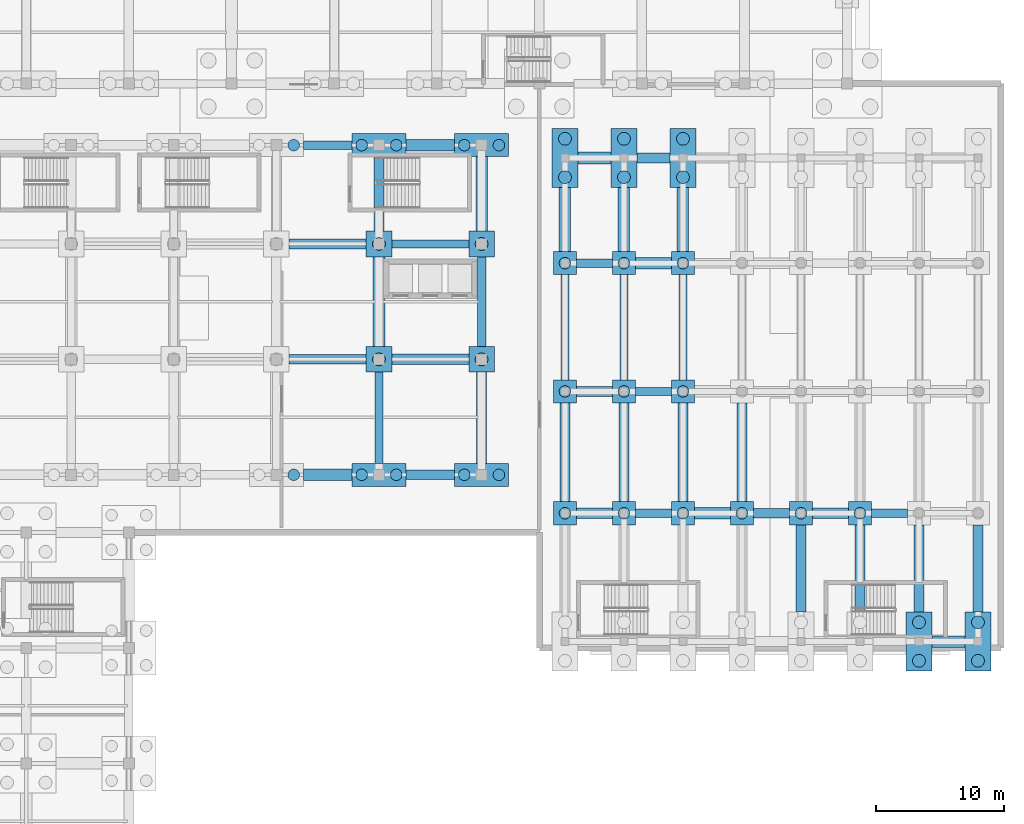
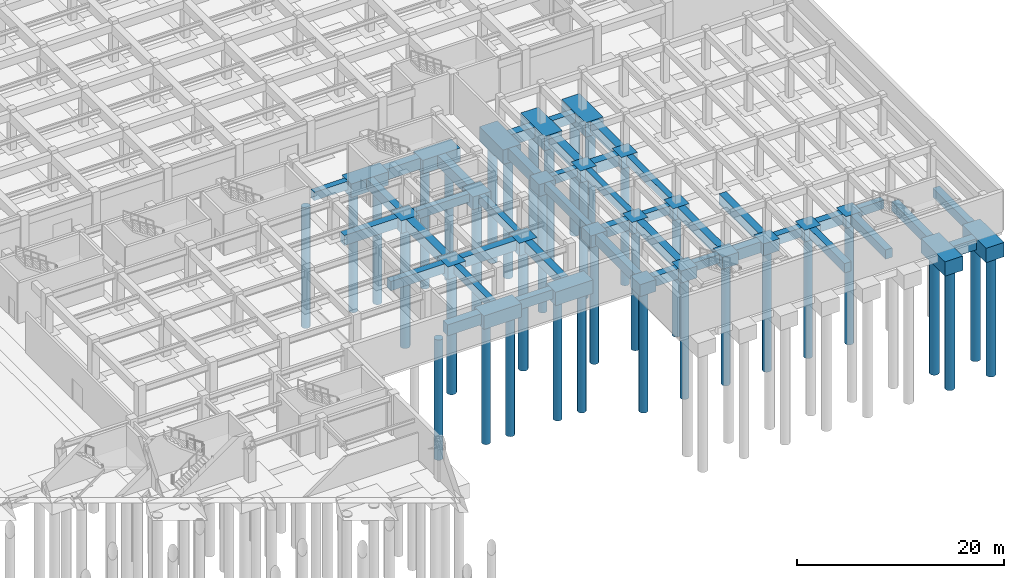
# One storey, part 12 of 48: 66 footings, 36 piles.
"""IFC4 building model written with IfcOpenShell, lengths in metres."""

from ifc_helpers import new_model, si_unit, direction, frame, origin, origin_2d, place, context, subcontext, project, spatial, polyline, rectangle, circle, outline, extrude, material, layer, layer_set, material_profile, profile_set, type_object, element, save


model = new_model("IFC4")

# Units and contexts
model_context = context("Model", 3, precision=1e-05, world=origin(), true_north=direction((0.0, 1.0)))
body_context = subcontext(model_context, "Body", "Model", "MODEL_VIEW")
ifc_project = project(units=[si_unit("LENGTHUNIT", "METRE"), si_unit("AREAUNIT", "SQUARE_METRE"), si_unit("VOLUMEUNIT", "CUBIC_METRE"), si_unit("PLANEANGLEUNIT", "RADIAN"), si_unit("MASSUNIT", "GRAM", prefix="KILO")], contexts=[model_context])

# Site, building, storey
site_placement = place(None, origin())
site = spatial("IfcSite", under=ifc_project, at=site_placement, CompositionType="ELEMENT")
building_placement = place(site_placement, origin())
building = spatial("IfcBuilding", under=site, at=building_placement, Name="Tlacozan Convention Centre", CompositionType="ELEMENT")
storey_placement = place(building_placement, frame((0.0, 0.0, -4.800048828125)))
storey = spatial("IfcBuildingStorey", under=building, at=storey_placement, Name="B01", CompositionType="ELEMENT", Elevation=-4.800048828125)

# Footings
ifc_material = material(Name="Concrete C35/45", Category="concrete")
ifc_layer_1 = layer(ifc_material, 1.0)
ifc_layer_set_1 = layer_set([ifc_layer_1], Name="Concrete C35/45")
footing_type_1 = type_object("IfcFootingType", Name="Foundation Tie Beam 650x1000", PredefinedType="FOOTING_BEAM", material=ifc_layer_set_1)
footing_1_placement = place(storey_placement, frame((0.0, 0.0, -1.0)))
element("IfcFooting", 1, at=footing_1_placement, inside=storey, type_object=footing_type_1, Name="Foundation Tie Beam X-61", PredefinedType="FOOTING_BEAM", context=body_context, shape_type="SweptSolid", body=[
    extrude(outline(polyline([(151.5, 28.175048828125), (154.300048828125, 28.175048828125), (154.300048828125, 28.824951171875), (151.5, 28.824951171875), (151.5, 28.175048828125)])), origin(), (0.0, 0.0, 1.0), 1.0),
])
footing_2_placement = place(storey_placement, frame((0.0, 0.0, -1.0)))
element("IfcFooting", 2, at=footing_2_placement, inside=storey, type_object=footing_type_1, Name="Foundation Tie Beam X-65", PredefinedType="FOOTING_BEAM", context=body_context, shape_type="SweptSolid", body=[
    extrude(outline(polyline([(169.89990234375, 28.175048828125), (172.699951171875, 28.175048828125), (172.699951171875, 28.824951171875), (169.89990234375, 28.824951171875), (169.89990234375, 28.175048828125)])), origin(), (0.0, 0.0, 1.0), 1.0),
])
footing_3_placement = place(storey_placement, frame((0.0, 0.0, -1.0)))
element("IfcFooting", 3, at=footing_3_placement, inside=storey, type_object=footing_type_1, Name="Foundation Tie Beam X-77", PredefinedType="FOOTING_BEAM", context=body_context, shape_type="SweptSolid", body=[
    extrude(outline(polyline([(151.5, 37.675048828125), (154.300048828125, 37.675048828125), (154.300048828125, 38.324951171875), (151.5, 38.324951171875), (151.5, 37.675048828125)])), origin(), (0.0, 0.0, 1.0), 1.0),
])
footing_4_placement = place(storey_placement, frame((0.0, 0.0, -1.0)))
element("IfcFooting", 4, at=footing_4_placement, inside=storey, type_object=footing_type_1, Name="Foundation Tie Beam X-93", PredefinedType="FOOTING_BEAM", context=body_context, shape_type="SweptSolid", body=[
    extrude(outline(polyline([(146.89990234375, 47.675048828125), (149.699951171875, 47.675048828125), (149.699951171875, 48.324951171875), (146.89990234375, 48.324951171875), (146.89990234375, 47.675048828125)])), origin(), (0.0, 0.0, 1.0), 1.0),
])
footing_5_placement = place(storey_placement, frame((0.0, 0.0, -1.0)))
element("IfcFooting", 5, at=footing_5_placement, inside=storey, type_object=footing_type_1, Name="Foundation Tie Beam X-109", PredefinedType="FOOTING_BEAM", context=body_context, shape_type="SweptSolid", body=[
    extrude(outline(polyline([(132.5, 49.175048828125), (138.5, 49.175048828125), (138.5, 49.824951171875), (132.5, 49.824951171875), (132.5, 49.175048828125)])), origin(), (0.0, 0.0, 1.0), 1.0),
])
footing_6_placement = place(storey_placement, frame((0.0, 0.0, -1.0)))
element("IfcFooting", 6, at=footing_6_placement, inside=storey, type_object=footing_type_1, Name="Foundation Tie Beam X-125", PredefinedType="FOOTING_BEAM", context=body_context, shape_type="SweptSolid", body=[
    extrude(outline(polyline([(125.60009765625, 56.875), (129.39990234375, 56.875), (129.39990234375, 57.52490234375), (125.60009765625, 57.52490234375), (125.60009765625, 56.875)])), origin(), (0.0, 0.0, 1.0), 1.0),
])
footing_7_placement = place(storey_placement, frame((0.0, 0.0, -1.0)))
element("IfcFooting", 7, at=footing_7_placement, inside=storey, type_object=footing_type_1, Name="Foundation Tie Beam Y-525", PredefinedType="FOOTING_BEAM", context=body_context, shape_type="SweptSolid", body=[
    extrude(outline(polyline([(131.175048828125, 32.39990234375), (131.824951171875, 32.39990234375), (131.824951171875, 39.5), (131.175048828125, 39.5), (131.175048828125, 32.39990234375)])), origin(), (0.0, 0.0, 1.0), 1.0),
])
footing_8_placement = place(storey_placement, frame((0.0, 0.0, -1.0)))
element("IfcFooting", 8, at=footing_8_placement, inside=storey, type_object=footing_type_1, Name="Foundation Tie Beam Y-537", PredefinedType="FOOTING_BEAM", context=body_context, shape_type="SweptSolid", body=[
    extrude(outline(polyline([(139.175048828125, 41.5), (139.824951171875, 41.5), (139.824951171875, 48.5), (139.175048828125, 48.5), (139.175048828125, 41.5)])), origin(), (0.0, 0.0, 1.0), 1.0),
])
footing_9_placement = place(storey_placement, frame((0.0, 0.0, -1.0)))
element("IfcFooting", 9, at=footing_9_placement, inside=storey, type_object=footing_type_1, Name="Foundation Tie Beam Y-549", PredefinedType="FOOTING_BEAM", context=body_context, shape_type="SweptSolid", body=[
    extrude(outline(polyline([(145.675048828125, 38.89990234375), (146.324951171875, 38.89990234375), (146.324951171875, 47.10009765625), (145.675048828125, 47.10009765625), (145.675048828125, 38.89990234375)])), origin(), (0.0, 0.0, 1.0), 1.0),
])
footing_10_placement = place(storey_placement, frame((0.0, 0.0, -1.0)))
element("IfcFooting", 10, at=footing_10_placement, inside=storey, type_object=footing_type_1, Name="Foundation Tie Beam Y-553", PredefinedType="FOOTING_BEAM", context=body_context, shape_type="SweptSolid", body=[
    extrude(outline(polyline([(150.27490234375, 38.89990234375), (150.925048828125, 38.89990234375), (150.925048828125, 47.10009765625), (150.27490234375, 47.10009765625), (150.27490234375, 38.89990234375)])), origin(), (0.0, 0.0, 1.0), 1.0),
])
footing_11_placement = place(storey_placement, frame((0.0, 0.0, -1.0)))
element("IfcFooting", 11, at=footing_11_placement, inside=storey, type_object=footing_type_1, Name="Foundation Tie Beam Y-565", PredefinedType="FOOTING_BEAM", context=body_context, shape_type="SweptSolid", body=[
    extrude(outline(polyline([(154.875, 38.89990234375), (155.52490234375, 38.89990234375), (155.52490234375, 47.10009765625), (154.875, 47.10009765625), (154.875, 38.89990234375)])), origin(), (0.0, 0.0, 1.0), 1.0),
])
ifc_layer_2 = layer(ifc_material, 1.10009765625)
ifc_layer_set_2 = layer_set([ifc_layer_2], Name="Concrete C35/45")
footing_type_2 = type_object("IfcFootingType", Name="Foundation Tie Beam 750x1100", PredefinedType="FOOTING_BEAM", material=ifc_layer_set_2)
footing_12_placement = place(storey_placement, frame((0.0, 0.0, -1.099853515625)))
element("IfcFooting", 12, at=footing_12_placement, inside=storey, type_object=footing_type_2, Name="Foundation Tie Beam X-63", PredefinedType="FOOTING_BEAM", context=body_context, shape_type="SweptSolid", body=[
    extrude(outline(polyline([(160.699951171875, 28.125), (163.5, 28.125), (163.5, 28.875), (160.699951171875, 28.875), (160.699951171875, 28.125)])), origin(), (0.0, 0.0, 1.0), 1.099853515625),
])
footing_13_placement = place(storey_placement, frame((0.0, 0.0, -1.099853515625)))
element("IfcFooting", 13, at=footing_13_placement, inside=storey, type_object=footing_type_2, Name="Foundation Tie Beam X-75", PredefinedType="FOOTING_BEAM", context=body_context, shape_type="SweptSolid", body=[
    extrude(outline(polyline([(133.60009765625, 31.125), (137.39990234375, 31.125), (137.39990234375, 31.875), (133.60009765625, 31.875), (133.60009765625, 31.125)])), origin(), (0.0, 0.0, 1.0), 1.099853515625),
])
footing_14_placement = place(storey_placement, frame((0.0, 0.0, -1.099853515625)))
element("IfcFooting", 14, at=footing_14_placement, inside=storey, type_object=footing_type_2, Name="Foundation Tie Beam X-91", PredefinedType="FOOTING_BEAM", context=body_context, shape_type="SweptSolid", body=[
    extrude(outline(polyline([(124.5, 40.125), (130.5, 40.125), (130.5, 40.875), (124.5, 40.875), (124.5, 40.125)])), origin(), (0.0, 0.0, 1.0), 1.099853515625),
])
footing_15_placement = place(storey_placement, frame((0.0, 0.0, -1.099853515625)))
element("IfcFooting", 15, at=footing_15_placement, inside=storey, type_object=footing_type_2, Name="Foundation Tie Beam X-111", PredefinedType="FOOTING_BEAM", context=body_context, shape_type="SweptSolid", body=[
    extrude(outline(polyline([(151.60009765625, 55.824951171875), (154.199951171875, 55.824951171875), (154.199951171875, 56.574951171875), (151.60009765625, 56.574951171875), (151.60009765625, 55.824951171875)])), origin(), (0.0, 0.0, 1.0), 1.099853515625),
])
footing_16_placement = place(storey_placement, frame((0.0, 0.0, -1.099853515625)))
element("IfcFooting", 16, at=footing_16_placement, inside=storey, type_object=footing_type_2, Name="Foundation Tie Beam Y-527", PredefinedType="FOOTING_BEAM", context=body_context, shape_type="SweptSolid", body=[
    extrude(outline(polyline([(131.125, 50.5), (131.875, 50.5), (131.875, 56.300048828125), (131.125, 56.300048828125), (131.125, 50.5)])), origin(), (0.0, 0.0, 1.0), 1.099853515625),
])
footing_17_placement = place(storey_placement, frame((0.0, 0.0, -1.099853515625)))
element("IfcFooting", 17, at=footing_17_placement, inside=storey, type_object=footing_type_2, Name="Foundation Tie Beam Y-579", PredefinedType="FOOTING_BEAM", context=body_context, shape_type="SweptSolid", body=[
    extrude(outline(polyline([(164.02490234375, 20.800048828125), (164.77490234375, 20.800048828125), (164.77490234375, 27.60009765625), (164.02490234375, 27.60009765625), (164.02490234375, 20.800048828125)])), origin(), (0.0, 0.0, 1.0), 1.099853515625),
])
footing_18_placement = place(storey_placement, frame((0.0, 0.0, -1.099853515625)))
element("IfcFooting", 18, at=footing_18_placement, inside=storey, type_object=footing_type_2, Name="Foundation Tie Beam Y-591", PredefinedType="FOOTING_BEAM", context=body_context, shape_type="SweptSolid", body=[
    extrude(outline(polyline([(168.625, 20.800048828125), (169.375, 20.800048828125), (169.375, 27.60009765625), (168.625, 27.60009765625), (168.625, 20.800048828125)])), origin(), (0.0, 0.0, 1.0), 1.099853515625),
])
footing_19_placement = place(storey_placement, frame((0.0, 0.0, -1.099853515625)))
element("IfcFooting", 19, at=footing_19_placement, inside=storey, type_object=footing_type_2, Name="Foundation Tie Beam Y-595", PredefinedType="FOOTING_BEAM", context=body_context, shape_type="SweptSolid", body=[
    extrude(outline(polyline([(173.22509765625, 20.800048828125), (173.97509765625, 20.800048828125), (173.97509765625, 27.60009765625), (173.22509765625, 27.60009765625), (173.22509765625, 20.800048828125)])), origin(), (0.0, 0.0, 1.0), 1.099853515625),
])
footing_20_placement = place(storey_placement, frame((0.0, 0.0, -1.099853515625)))
element("IfcFooting", 20, at=footing_20_placement, inside=storey, type_object=footing_type_2, Name="Foundation Tie Beam Y-599", PredefinedType="FOOTING_BEAM", context=body_context, shape_type="SweptSolid", body=[
    extrude(outline(polyline([(177.824951171875, 20.800048828125), (178.574951171875, 20.800048828125), (178.574951171875, 27.60009765625), (177.824951171875, 27.60009765625), (177.824951171875, 20.800048828125)])), origin(), (0.0, 0.0, 1.0), 1.099853515625),
])
ifc_layer_3 = layer(ifc_material, 1.199951171875)
ifc_layer_set_3 = layer_set([ifc_layer_3], Name="Concrete C35/45")
footing_type_3 = type_object("IfcFootingType", Name="Foundation Tie Beam 800x1200", PredefinedType="FOOTING_BEAM", material=ifc_layer_set_3)
footing_21_placement = place(storey_placement, frame((0.0, 0.0, -1.199951171875)))
element("IfcFooting", 21, at=footing_21_placement, inside=storey, type_object=footing_type_3, Name="Foundation Tie Beam X-60", PredefinedType="FOOTING_BEAM", context=body_context, shape_type="SweptSolid", body=[
    extrude(outline(polyline([(146.89990234375, 28.10009765625), (149.699951171875, 28.10009765625), (149.699951171875, 28.89990234375), (146.89990234375, 28.89990234375), (146.89990234375, 28.10009765625)])), origin(), (0.0, 0.0, 1.0), 1.199951171875),
])
footing_22_placement = place(storey_placement, frame((0.0, 0.0, -1.199951171875)))
element("IfcFooting", 22, at=footing_22_placement, inside=storey, type_object=footing_type_3, Name="Foundation Tie Beam X-64", PredefinedType="FOOTING_BEAM", context=body_context, shape_type="SweptSolid", body=[
    extrude(outline(polyline([(165.300048828125, 28.10009765625), (168.10009765625, 28.10009765625), (168.10009765625, 28.89990234375), (165.300048828125, 28.89990234375), (165.300048828125, 28.10009765625)])), origin(), (0.0, 0.0, 1.0), 1.199951171875),
])
footing_23_placement = place(storey_placement, frame((0.0, 0.0, -1.199951171875)))
element("IfcFooting", 23, at=footing_23_placement, inside=storey, type_object=footing_type_3, Name="Foundation Tie Beam X-76", PredefinedType="FOOTING_BEAM", context=body_context, shape_type="SweptSolid", body=[
    extrude(outline(polyline([(146.89990234375, 37.60009765625), (149.699951171875, 37.60009765625), (149.699951171875, 38.39990234375), (146.89990234375, 38.39990234375), (146.89990234375, 37.60009765625)])), origin(), (0.0, 0.0, 1.0), 1.199951171875),
])
footing_24_placement = place(storey_placement, frame((0.0, 0.0, -1.199951171875)))
element("IfcFooting", 24, at=footing_24_placement, inside=storey, type_object=footing_type_3, Name="Foundation Tie Beam X-92", PredefinedType="FOOTING_BEAM", context=body_context, shape_type="SweptSolid", body=[
    extrude(outline(polyline([(132.5, 40.10009765625), (138.5, 40.10009765625), (138.5, 40.89990234375), (132.5, 40.89990234375), (132.5, 40.10009765625)])), origin(), (0.0, 0.0, 1.0), 1.199951171875),
])
footing_25_placement = place(storey_placement, frame((0.0, 0.0, -1.199951171875)))
element("IfcFooting", 25, at=footing_25_placement, inside=storey, type_object=footing_type_3, Name="Foundation Tie Beam X-108", PredefinedType="FOOTING_BEAM", context=body_context, shape_type="SweptSolid", body=[
    extrude(outline(polyline([(124.5, 49.10009765625), (130.5, 49.10009765625), (130.5, 49.89990234375), (124.5, 49.89990234375), (124.5, 49.10009765625)])), origin(), (0.0, 0.0, 1.0), 1.199951171875),
])
footing_26_placement = place(storey_placement, frame((0.0, 0.0, -1.199951171875)))
element("IfcFooting", 26, at=footing_26_placement, inside=storey, type_object=footing_type_3, Name="Foundation Tie Beam Y-536", PredefinedType="FOOTING_BEAM", context=body_context, shape_type="SweptSolid", body=[
    extrude(outline(polyline([(139.10009765625, 32.39990234375), (139.89990234375, 32.39990234375), (139.89990234375, 39.5), (139.10009765625, 39.5), (139.10009765625, 32.39990234375)])), origin(), (0.0, 0.0, 1.0), 1.199951171875),
])
footing_27_placement = place(storey_placement, frame((0.0, 0.0, -1.199951171875)))
element("IfcFooting", 27, at=footing_27_placement, inside=storey, type_object=footing_type_3, Name="Foundation Tie Beam Y-548", PredefinedType="FOOTING_BEAM", context=body_context, shape_type="SweptSolid", body=[
    extrude(outline(polyline([(145.60009765625, 29.39990234375), (146.39990234375, 29.39990234375), (146.39990234375, 37.10009765625), (145.60009765625, 37.10009765625), (145.60009765625, 29.39990234375)])), origin(), (0.0, 0.0, 1.0), 1.199951171875),
])
footing_28_placement = place(storey_placement, frame((0.0, 0.0, -1.199951171875)))
element("IfcFooting", 28, at=footing_28_placement, inside=storey, type_object=footing_type_3, Name="Foundation Tie Beam Y-552", PredefinedType="FOOTING_BEAM", context=body_context, shape_type="SweptSolid", body=[
    extrude(outline(polyline([(150.199951171875, 29.39990234375), (151.0, 29.39990234375), (151.0, 37.10009765625), (150.199951171875, 37.10009765625), (150.199951171875, 29.39990234375)])), origin(), (0.0, 0.0, 1.0), 1.199951171875),
])
footing_29_placement = place(storey_placement, frame((0.0, 0.0, -1.199951171875)))
element("IfcFooting", 29, at=footing_29_placement, inside=storey, type_object=footing_type_3, Name="Foundation Tie Beam Y-564", PredefinedType="FOOTING_BEAM", context=body_context, shape_type="SweptSolid", body=[
    extrude(outline(polyline([(154.800048828125, 29.39990234375), (155.60009765625, 29.39990234375), (155.60009765625, 37.10009765625), (154.800048828125, 37.10009765625), (154.800048828125, 29.39990234375)])), origin(), (0.0, 0.0, 1.0), 1.199951171875),
])
footing_30_placement = place(storey_placement, frame((0.0, 0.0, -1.199951171875)))
element("IfcFooting", 30, at=footing_30_placement, inside=storey, type_object=footing_type_3, Name="Foundation Tie Beam Y-568", PredefinedType="FOOTING_BEAM", context=body_context, shape_type="SweptSolid", body=[
    extrude(outline(polyline([(159.39990234375, 29.39990234375), (160.199951171875, 29.39990234375), (160.199951171875, 37.10009765625), (159.39990234375, 37.10009765625), (159.39990234375, 29.39990234375)])), origin(), (0.0, 0.0, 1.0), 1.199951171875),
])
ifc_layer_4 = layer(ifc_material, 1.300048828125)
ifc_layer_set_4 = layer_set([ifc_layer_4], Name="Concrete C35/45")
footing_type_4 = type_object("IfcFootingType", Name="Foundation Tie Beam 900x1300", PredefinedType="FOOTING_BEAM", material=ifc_layer_set_4)
footing_31_placement = place(storey_placement, frame((0.0, 0.0, -1.300048828125)))
element("IfcFooting", 31, at=footing_31_placement, inside=storey, type_object=footing_type_4, Name="Foundation Tie Beam X-46", PredefinedType="FOOTING_BEAM", context=body_context, shape_type="SweptSolid", body=[
    extrude(outline(polyline([(174.60009765625, 18.050048828125), (177.199951171875, 18.050048828125), (177.199951171875, 18.949951171875), (174.60009765625, 18.949951171875), (174.60009765625, 18.050048828125)])), origin(), (0.0, 0.0, 1.0), 1.300048828125),
])
footing_32_placement = place(storey_placement, frame((0.0, 0.0, -1.300048828125)))
element("IfcFooting", 32, at=footing_32_placement, inside=storey, type_object=footing_type_4, Name="Foundation Tie Beam X-62", PredefinedType="FOOTING_BEAM", context=body_context, shape_type="SweptSolid", body=[
    extrude(outline(polyline([(156.10009765625, 28.050048828125), (158.89990234375, 28.050048828125), (158.89990234375, 28.949951171875), (156.10009765625, 28.949951171875), (156.10009765625, 28.050048828125)])), origin(), (0.0, 0.0, 1.0), 1.300048828125),
])
footing_33_placement = place(storey_placement, frame((0.0, 0.0, -1.300048828125)))
element("IfcFooting", 33, at=footing_33_placement, inside=storey, type_object=footing_type_4, Name="Foundation Tie Beam X-74", PredefinedType="FOOTING_BEAM", context=body_context, shape_type="SweptSolid", body=[
    extrude(outline(polyline([(125.60009765625, 31.050048828125), (129.39990234375, 31.050048828125), (129.39990234375, 31.949951171875), (125.60009765625, 31.949951171875), (125.60009765625, 31.050048828125)])), origin(), (0.0, 0.0, 1.0), 1.300048828125),
])
footing_34_placement = place(storey_placement, frame((0.0, 0.0, -1.300048828125)))
element("IfcFooting", 34, at=footing_34_placement, inside=storey, type_object=footing_type_4, Name="Foundation Tie Beam X-94", PredefinedType="FOOTING_BEAM", context=body_context, shape_type="SweptSolid", body=[
    extrude(outline(polyline([(151.5, 47.550048828125), (154.300048828125, 47.550048828125), (154.300048828125, 48.449951171875), (151.5, 48.449951171875), (151.5, 47.550048828125)])), origin(), (0.0, 0.0, 1.0), 1.300048828125),
])
footing_35_placement = place(storey_placement, frame((0.0, 0.0, -1.300048828125)))
element("IfcFooting", 35, at=footing_35_placement, inside=storey, type_object=footing_type_4, Name="Foundation Tie Beam X-110", PredefinedType="FOOTING_BEAM", context=body_context, shape_type="SweptSolid", body=[
    extrude(outline(polyline([(147.0, 55.75), (149.60009765625, 55.75), (149.60009765625, 56.64990234375), (147.0, 56.64990234375), (147.0, 55.75)])), origin(), (0.0, 0.0, 1.0), 1.300048828125),
])
footing_36_placement = place(storey_placement, frame((0.0, 0.0, -1.300048828125)))
element("IfcFooting", 36, at=footing_36_placement, inside=storey, type_object=footing_type_4, Name="Foundation Tie Beam X-126", PredefinedType="FOOTING_BEAM", context=body_context, shape_type="SweptSolid", body=[
    extrude(outline(polyline([(133.60009765625, 56.75), (137.39990234375, 56.75), (137.39990234375, 57.64990234375), (133.60009765625, 57.64990234375), (133.60009765625, 56.75)])), origin(), (0.0, 0.0, 1.0), 1.300048828125),
])
footing_37_placement = place(storey_placement, frame((0.0, 0.0, -1.300048828125)))
element("IfcFooting", 37, at=footing_37_placement, inside=storey, type_object=footing_type_4, Name="Foundation Tie Beam Y-526", PredefinedType="FOOTING_BEAM", context=body_context, shape_type="SweptSolid", body=[
    extrude(outline(polyline([(131.050048828125, 41.5), (131.949951171875, 41.5), (131.949951171875, 48.5), (131.050048828125, 48.5), (131.050048828125, 41.5)])), origin(), (0.0, 0.0, 1.0), 1.300048828125),
])
footing_38_placement = place(storey_placement, frame((0.0, 0.0, -1.300048828125)))
element("IfcFooting", 38, at=footing_38_placement, inside=storey, type_object=footing_type_4, Name="Foundation Tie Beam Y-538", PredefinedType="FOOTING_BEAM", context=body_context, shape_type="SweptSolid", body=[
    extrude(outline(polyline([(139.050048828125, 50.5), (139.949951171875, 50.5), (139.949951171875, 56.300048828125), (139.050048828125, 56.300048828125), (139.050048828125, 50.5)])), origin(), (0.0, 0.0, 1.0), 1.300048828125),
])
footing_39_placement = place(storey_placement, frame((0.0, 0.0, -1.300048828125)))
element("IfcFooting", 39, at=footing_39_placement, inside=storey, type_object=footing_type_4, Name="Foundation Tie Beam Y-550", PredefinedType="FOOTING_BEAM", context=body_context, shape_type="SweptSolid", body=[
    extrude(outline(polyline([(145.550048828125, 48.89990234375), (146.449951171875, 48.89990234375), (146.449951171875, 53.89990234375), (145.550048828125, 53.89990234375), (145.550048828125, 48.89990234375)])), origin(), (0.0, 0.0, 1.0), 1.300048828125),
])
footing_40_placement = place(storey_placement, frame((0.0, 0.0, -1.300048828125)))
element("IfcFooting", 40, at=footing_40_placement, inside=storey, type_object=footing_type_4, Name="Foundation Tie Beam Y-554", PredefinedType="FOOTING_BEAM", context=body_context, shape_type="SweptSolid", body=[
    extrude(outline(polyline([(150.14990234375, 48.89990234375), (151.050048828125, 48.89990234375), (151.050048828125, 53.89990234375), (150.14990234375, 53.89990234375), (150.14990234375, 48.89990234375)])), origin(), (0.0, 0.0, 1.0), 1.300048828125),
])
footing_41_placement = place(storey_placement, frame((0.0, 0.0, -1.300048828125)))
element("IfcFooting", 41, at=footing_41_placement, inside=storey, type_object=footing_type_4, Name="Foundation Tie Beam Y-566", PredefinedType="FOOTING_BEAM", context=body_context, shape_type="SweptSolid", body=[
    extrude(outline(polyline([(154.75, 48.89990234375), (155.64990234375, 48.89990234375), (155.64990234375, 53.89990234375), (154.75, 53.89990234375), (154.75, 48.89990234375)])), origin(), (0.0, 0.0, 1.0), 1.300048828125),
])
ifc_layer_5 = layer(ifc_material, 1.39990234375)
ifc_layer_set_5 = layer_set([ifc_layer_5], Name="Concrete C35/45")
footing_type_5 = type_object("IfcFootingType", Name="Pile Cap 1P 1800x1800x1400", PredefinedType="PILE_CAP", material=ifc_layer_set_5)
for number, where, z_axis, x_axis, name in (
    (42, (146.0, 28.5, -1.39990234375), (0.0, 0.0, 1.0), (1.0, 0.0, 0.0), "Pile Cap PC-01 (276)"),
    (43, (146.0, 38.0, -1.39990234375), (0.0, 0.0, 1.0), (1.0, 0.0, 0.0), "Pile Cap PC-01 (277)"),
    (44, (146.0, 48.0, -1.39990234375), (0.0, 0.0, 1.0), (1.0, 0.0, 0.0), "Pile Cap PC-01 (278)"),
    (45, (150.60009765625, 28.5, -1.39990234375), (0.0, 0.0, 1.0), (1.0, 0.0, 0.0), "Pile Cap PC-01 (281)"),
    (46, (150.60009765625, 38.0, -1.39990234375), (0.0, 0.0, 1.0), (1.0, 0.0, 0.0), "Pile Cap PC-01 (282)"),
    (47, (150.60009765625, 48.0, -1.39990234375), (0.0, 0.0, 1.0), (1.0, 0.0, 0.0), "Pile Cap PC-01 (283)"),
    (48, (155.199951171875, 28.5, -1.39990234375), (0.0, 0.0, 1.0), (1.0, 0.0, 0.0), "Pile Cap PC-01 (295)"),
    (49, (155.199951171875, 38.0, -1.39990234375), (0.0, 0.0, 1.0), (1.0, 0.0, 0.0), "Pile Cap PC-01 (296)"),
    (50, (155.199951171875, 48.0, -1.39990234375), (0.0, 0.0, 1.0), (1.0, 0.0, 0.0), "Pile Cap PC-01 (297)"),
    (51, (159.800048828125, 28.5, -1.39990234375), (0.0, 0.0, 1.0), (1.0, 0.0, 0.0), "Pile Cap PC-01 (300)"),
    (52, (164.39990234375, 28.5, -1.39990234375), (0.0, 0.0, 1.0), (1.0, 0.0, 0.0), "Pile Cap PC-01 (314)"),
    (53, (169.0, 28.5, -1.39990234375), (0.0, 0.0, 1.0), (1.0, 0.0, 0.0), "Pile Cap PC-01 (328)"),
):
    element("IfcFooting", number, at=place(storey_placement, frame(where, z_axis=z_axis, x_axis=x_axis)), inside=storey, type_object=footing_type_5, Name=name, PredefinedType="PILE_CAP", context=body_context, shape_type="SweptSolid", body=[
        extrude(rectangle(XDim=1.800048828125, YDim=1.800048828125, at=origin_2d()), origin(), (0.0, 0.0, 1.0), 1.39990234375),
    ])
ifc_layer_6 = layer(ifc_material, 1.5)
ifc_layer_set_6 = layer_set([ifc_layer_6], Name="Concrete C35/45")
footing_type_6 = type_object("IfcFootingType", Name="Pile Cap 1P 2000x2000x1500", PredefinedType="PILE_CAP", material=ifc_layer_set_6)
for number, where, z_axis, x_axis, name in (
    (54, (131.5, 40.5, -1.5), (0.0, 0.0, 1.0), (1.0, 0.0, 0.0), "Pile Cap PC-02 (250)"),
    (55, (131.5, 49.5, -1.5), (0.0, 0.0, 1.0), (1.0, 0.0, 0.0), "Pile Cap PC-02 (251)"),
    (56, (139.5, 40.5, -1.5), (0.0, 0.0, 1.0), (1.0, 0.0, 0.0), "Pile Cap PC-02 (263)"),
    (57, (139.5, 49.5, -1.5), (0.0, 0.0, 1.0), (1.0, 0.0, 0.0), "Pile Cap PC-02 (264)"),
):
    element("IfcFooting", number, at=place(storey_placement, frame(where, z_axis=z_axis, x_axis=x_axis)), inside=storey, type_object=footing_type_6, Name=name, PredefinedType="PILE_CAP", context=body_context, shape_type="SweptSolid", body=[
        extrude(rectangle(XDim=2.0, YDim=2.0, at=origin_2d()), origin(), (0.0, 0.0, 1.0), 1.5),
    ])
ifc_layer_7 = layer(ifc_material, 1.699951171875)
ifc_layer_set_7 = layer_set([ifc_layer_7], Name="Concrete C35/45")
footing_type_7 = type_object("IfcFootingType", Name="Pile Cap 2P 2000x4600x1700", PredefinedType="PILE_CAP", material=ifc_layer_set_7)
for number, where, z_axis, x_axis, name in (
    (58, (146.0, 56.199951171875, -1.69970703125), (0.0, 0.0, 1.0), (1.0, 0.0, 0.0), "Pile Cap PC-10 (279)"),
    (59, (150.60009765625, 56.199951171875, -1.69970703125), (0.0, 0.0, 1.0), (1.0, 0.0, 0.0), "Pile Cap PC-10 (284)"),
    (60, (155.199951171875, 56.199951171875, -1.69970703125), (0.0, 0.0, 1.0), (1.0, 0.0, 0.0), "Pile Cap PC-10 (298)"),
    (61, (173.60009765625, 18.5, -1.69970703125), (0.0, 0.0, 1.0), (1.0, 0.0, 0.0), "Pile Cap PC-10 (332)"),
    (62, (178.199951171875, 18.5, -1.69970703125), (0.0, 0.0, 1.0), (1.0, 0.0, 0.0), "Pile Cap PC-10 (337)"),
):
    element("IfcFooting", number, at=place(storey_placement, frame(where, z_axis=z_axis, x_axis=x_axis)), inside=storey, type_object=footing_type_7, Name=name, PredefinedType="PILE_CAP", context=body_context, shape_type="SweptSolid", body=[
        extrude(rectangle(XDim=2.0, YDim=4.60009765625, at=origin_2d()), origin(), (0.0, 0.0, 1.0), 1.699951171875),
    ])
ifc_layer_8 = layer(ifc_material, 1.60009765625)
ifc_layer_set_8 = layer_set([ifc_layer_8], Name="Concrete C35/45")
footing_type_8 = type_object("IfcFootingType", Name="Pile Cap 2P 4200x1800x1600", PredefinedType="PILE_CAP", material=ifc_layer_set_8)
for number, where, z_axis, x_axis, name in (
    (63, (131.5, 31.5, -1.60009765625), (0.0, 0.0, 1.0), (1.0, 0.0, 0.0), "Pile Cap PC-03 (249)"),
    (64, (131.5, 57.199951171875, -1.60009765625), (0.0, 0.0, 1.0), (1.0, 0.0, 0.0), "Pile Cap PC-03 (252)"),
    (65, (139.5, 31.5, -1.60009765625), (0.0, 0.0, 1.0), (1.0, 0.0, 0.0), "Pile Cap PC-03 (262)"),
    (66, (139.5, 57.199951171875, -1.60009765625), (0.0, 0.0, 1.0), (1.0, 0.0, 0.0), "Pile Cap PC-03 (265)"),
):
    element("IfcFooting", number, at=place(storey_placement, frame(where, z_axis=z_axis, x_axis=x_axis)), inside=storey, type_object=footing_type_8, Name=name, PredefinedType="PILE_CAP", context=body_context, shape_type="SweptSolid", body=[
        extrude(rectangle(XDim=4.199951171875, YDim=1.800048828125, at=origin_2d()), origin(), (0.0, 0.0, 1.0), 1.60009765625),
    ])

# Piles
ifc_material_profile_1 = material_profile(ifc_material, circle(Radius=0.5, at=origin_2d()), Name="PILE D1000")
ifc_profile_set_1 = profile_set([ifc_material_profile_1], Name="Concrete C35/45")
pile_type_1 = type_object("IfcPileType", Name="Pile D1000 Bored", PredefinedType="BORED", material=ifc_profile_set_1)
for number, where, z_axis, x_axis, name in (
    (67, (131.5, 40.5, -1.3798828125), (0.0, 0.0, -1.0), (1.0, 0.0, 0.0), "Bored Pile 474"),
    (68, (131.5, 49.5, -1.3798828125), (0.0, 0.0, -1.0), (1.0, 0.0, 0.0), "Bored Pile 475"),
    (69, (139.5, 40.5, -1.3798828125), (0.0, 0.0, -1.0), (1.0, 0.0, 0.0), "Bored Pile 491"),
    (70, (139.5, 49.5, -1.3798828125), (0.0, 0.0, -1.0), (1.0, 0.0, 0.0), "Bored Pile 492"),
):
    element("IfcPile", number, at=place(storey_placement, frame(where, z_axis=z_axis, x_axis=x_axis)), inside=storey, type_object=pile_type_1, Name=name, PredefinedType="BORED", context=body_context, shape_type="SweptSolid", body=[
        extrude(circle(Radius=0.5, at=origin_2d()), origin(), (0.0, 0.0, 1.0), 14.320068359375),
    ])
for number, where, z_axis, x_axis, name in (
    (71, (146.0, 54.699951171875, -1.579833984375), (0.0, 0.0, -1.0), (1.0, 0.0, 0.0), "Bored Pile 515"),
    (72, (146.0, 57.699951171875, -1.579833984375), (0.0, 0.0, -1.0), (1.0, 0.0, 0.0), "Bored Pile 516"),
    (73, (150.60009765625, 54.699951171875, -1.579833984375), (0.0, 0.0, -1.0), (1.0, 0.0, 0.0), "Bored Pile 522"),
    (74, (150.60009765625, 57.699951171875, -1.579833984375), (0.0, 0.0, -1.0), (1.0, 0.0, 0.0), "Bored Pile 523"),
    (75, (155.199951171875, 54.699951171875, -1.579833984375), (0.0, 0.0, -1.0), (1.0, 0.0, 0.0), "Bored Pile 540"),
    (76, (155.199951171875, 57.699951171875, -1.579833984375), (0.0, 0.0, -1.0), (1.0, 0.0, 0.0), "Bored Pile 541"),
    (77, (173.60009765625, 17.0, -1.579833984375), (0.0, 0.0, -1.0), (1.0, 0.0, 0.0), "Bored Pile 596"),
    (78, (173.60009765625, 20.0, -1.579833984375), (0.0, 0.0, -1.0), (1.0, 0.0, 0.0), "Bored Pile 597"),
    (79, (178.199951171875, 17.0, -1.579833984375), (0.0, 0.0, -1.0), (1.0, 0.0, 0.0), "Bored Pile 603"),
    (80, (178.199951171875, 20.0, -1.579833984375), (0.0, 0.0, -1.0), (1.0, 0.0, 0.0), "Bored Pile 604"),
):
    element("IfcPile", number, at=place(storey_placement, frame(where, z_axis=z_axis, x_axis=x_axis)), inside=storey, type_object=pile_type_1, Name=name, PredefinedType="BORED", context=body_context, shape_type="SweptSolid", body=[
        extrude(circle(Radius=0.5, at=origin_2d()), origin(), (0.0, 0.0, 1.0), 14.1201171875),
    ])
ifc_material_profile_2 = material_profile(ifc_material, circle(Radius=0.449951171875, at=origin_2d()), Name="PILE D900")
ifc_profile_set_2 = profile_set([ifc_material_profile_2], Name="Concrete C35/45")
pile_type_2 = type_object("IfcPileType", Name="Pile D900 Bored", PredefinedType="BORED", material=ifc_profile_set_2)
for number, where, z_axis, x_axis, name in (
    (81, (124.85009765625, 31.5, -1.47998046875), (0.0, 0.0, -1.0), (1.0, 0.0, 0.0), "Bored Pile 456"),
    (82, (124.85009765625, 57.199951171875, -1.47998046875), (0.0, 0.0, -1.0), (1.0, 0.0, 0.0), "Bored Pile 460"),
    (83, (130.14990234375, 31.5, -1.47998046875), (0.0, 0.0, -1.0), (1.0, 0.0, 0.0), "Bored Pile 472"),
    (84, (132.85009765625, 31.5, -1.47998046875), (0.0, 0.0, -1.0), (1.0, 0.0, 0.0), "Bored Pile 473"),
    (85, (130.14990234375, 57.199951171875, -1.47998046875), (0.0, 0.0, -1.0), (1.0, 0.0, 0.0), "Bored Pile 476"),
    (86, (132.85009765625, 57.199951171875, -1.47998046875), (0.0, 0.0, -1.0), (1.0, 0.0, 0.0), "Bored Pile 477"),
    (87, (138.14990234375, 31.5, -1.47998046875), (0.0, 0.0, -1.0), (1.0, 0.0, 0.0), "Bored Pile 489"),
    (88, (140.85009765625, 31.5, -1.47998046875), (0.0, 0.0, -1.0), (1.0, 0.0, 0.0), "Bored Pile 490"),
    (89, (138.14990234375, 57.199951171875, -1.47998046875), (0.0, 0.0, -1.0), (1.0, 0.0, 0.0), "Bored Pile 493"),
    (90, (140.85009765625, 57.199951171875, -1.47998046875), (0.0, 0.0, -1.0), (1.0, 0.0, 0.0), "Bored Pile 494"),
):
    element("IfcPile", number, at=place(storey_placement, frame(where, z_axis=z_axis, x_axis=x_axis)), inside=storey, type_object=pile_type_2, Name=name, PredefinedType="BORED", context=body_context, shape_type="SweptSolid", body=[
        extrude(circle(Radius=0.449951171875, at=origin_2d()), origin(), (0.0, 0.0, 1.0), 14.219970703125),
    ])
for number, where, z_axis, x_axis, name in (
    (91, (146.0, 28.5, -1.280029296875), (0.0, 0.0, -1.0), (1.0, 0.0, 0.0), "Bored Pile 512"),
    (92, (146.0, 38.0, -1.280029296875), (0.0, 0.0, -1.0), (1.0, 0.0, 0.0), "Bored Pile 513"),
    (93, (146.0, 48.0, -1.280029296875), (0.0, 0.0, -1.0), (1.0, 0.0, 0.0), "Bored Pile 514"),
    (94, (150.60009765625, 28.5, -1.280029296875), (0.0, 0.0, -1.0), (1.0, 0.0, 0.0), "Bored Pile 519"),
    (95, (150.60009765625, 38.0, -1.280029296875), (0.0, 0.0, -1.0), (1.0, 0.0, 0.0), "Bored Pile 520"),
    (96, (150.60009765625, 48.0, -1.280029296875), (0.0, 0.0, -1.0), (1.0, 0.0, 0.0), "Bored Pile 521"),
    (97, (155.199951171875, 28.5, -1.280029296875), (0.0, 0.0, -1.0), (1.0, 0.0, 0.0), "Bored Pile 537"),
    (98, (155.199951171875, 38.0, -1.280029296875), (0.0, 0.0, -1.0), (1.0, 0.0, 0.0), "Bored Pile 538"),
    (99, (155.199951171875, 48.0, -1.280029296875), (0.0, 0.0, -1.0), (1.0, 0.0, 0.0), "Bored Pile 539"),
    (100, (159.800048828125, 28.5, -1.280029296875), (0.0, 0.0, -1.0), (1.0, 0.0, 0.0), "Bored Pile 544"),
    (101, (164.39990234375, 28.5, -1.280029296875), (0.0, 0.0, -1.0), (1.0, 0.0, 0.0), "Bored Pile 562"),
    (102, (169.0, 28.5, -1.280029296875), (0.0, 0.0, -1.0), (1.0, 0.0, 0.0), "Bored Pile 591"),
):
    element("IfcPile", number, at=place(storey_placement, frame(where, z_axis=z_axis, x_axis=x_axis)), inside=storey, type_object=pile_type_2, Name=name, PredefinedType="BORED", context=body_context, shape_type="SweptSolid", body=[
        extrude(circle(Radius=0.449951171875, at=origin_2d()), origin(), (0.0, 0.0, 1.0), 14.419921875),
    ])

save(model, "model.ifc")
